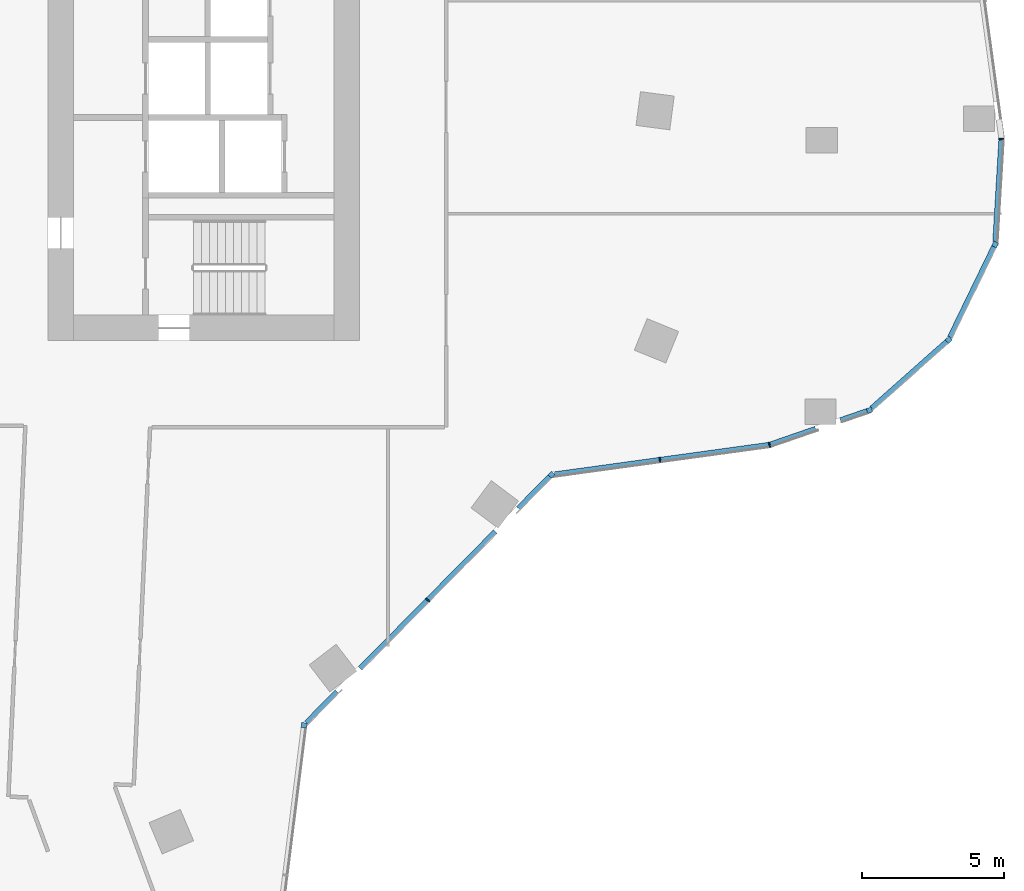
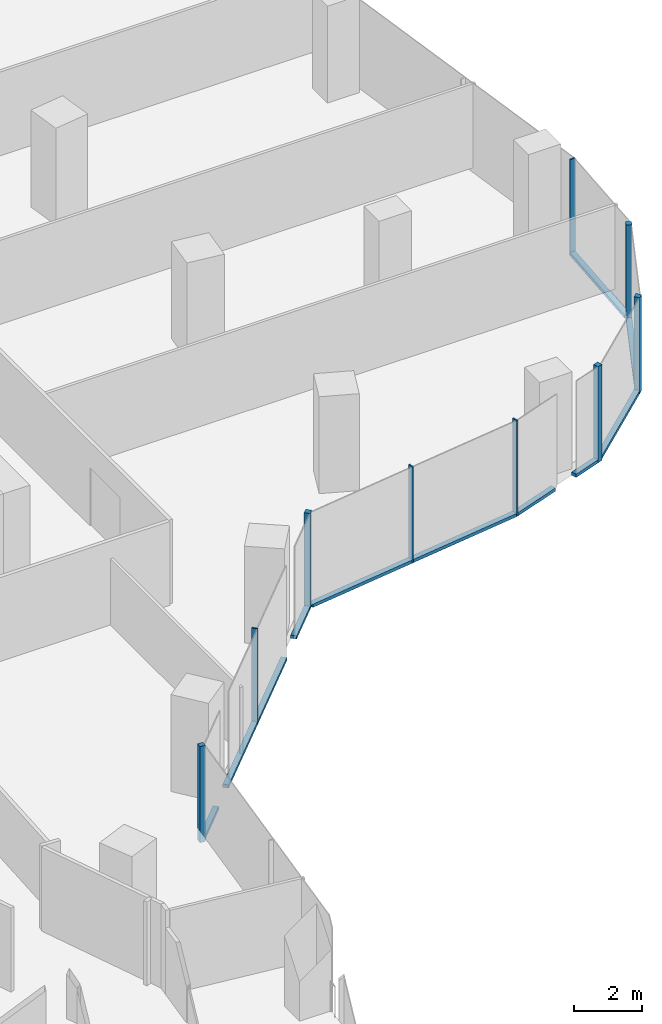
# One storey, part 7 of 27: 18 members, 7 elements without a shape of their own.
"""IFC4 building model written with IfcOpenShell, lengths in metres."""

import ifcopenshell
import ifcopenshell.guid

model = None  # the IFC model being written
_history = None  # IfcOwnerHistory: only IFC2X3 demands one
_inside = {}  # id of a spatial element -> (the spatial element, [elements in it])
_under = {}  # id of a project, library or spatial element -> (it, [spatial elements below it])
_declared = {}  # id of a project -> (the project, [libraries it declares])
_typed = {}  # id of a type object -> (the type object, [elements of that type])
_made_of = {}  # id of a material, layer set ... -> (it, [elements and type objects made of it])


def new_model(schema):
    """Start an empty IFC model of exactly this schema.

    Asked for "IFC4X3", IfcOpenShell would pick the latest addendum, in which some entities
    have other attributes; the version numbers below select the first issue.
    IFC2X3 requires an IfcOwnerHistory on every rooted entity: one is made here for all.
    """
    global model, _history
    if schema == "IFC4X3":
        model = ifcopenshell.file(schema_version=(4, 3, 0, 0))
    else:
        model = ifcopenshell.file(schema=schema)
    _inside.clear()
    _under.clear()
    _declared.clear()
    _typed.clear()
    _made_of.clear()
    _history = None
    if model.schema == "IFC2X3":
        org = make("IfcOrganization", Name="unknown")
        user = make(
            "IfcPersonAndOrganization",
            ThePerson=make("IfcPerson", FamilyName="unknown"),
            TheOrganization=org,
        )
        app = make(
            "IfcApplication",
            ApplicationDeveloper=org,
            Version="unknown",
            ApplicationFullName="unknown",
            ApplicationIdentifier="unknown",
        )
        _history = make(
            "IfcOwnerHistory",
            OwningUser=user,
            OwningApplication=app,
            ChangeAction="ADDED",
            CreationDate=0,
        )
    return model


def make(cls, **values):
    """One entity of the class cls with the attributes given. An attribute that is None is left unset."""
    return model.create_entity(
        cls, **{name: value for name, value in values.items() if value is not None}
    )


def rooted(cls, **values):
    """An entity with a GlobalId (a new one), such as an element, a storey or a relation."""
    return make(cls, GlobalId=ifcopenshell.guid.new(), OwnerHistory=_history, **values)


def si_unit(unit_type, name, prefix=None):
    """IfcSIUnit, for example si_unit("LENGTHUNIT", "METRE", prefix="MILLI")."""
    return make("IfcSIUnit", UnitType=unit_type, Prefix=prefix, Name=name)


def assignment(units):
    """IfcUnitAssignment: the units of a project."""
    return None if units is None else make("IfcUnitAssignment", Units=units)


def point(xyz):
    """IfcCartesianPoint."""
    return None if xyz is None else make("IfcCartesianPoint", Coordinates=xyz)


def direction(xyz):
    """IfcDirection."""
    return None if xyz is None else make("IfcDirection", DirectionRatios=xyz)


def frame(location, z_axis=None, x_axis=None):
    """IfcAxis2Placement3D, a coordinate frame: its origin and axes. An axis left out is left unset."""
    return make(
        "IfcAxis2Placement3D",
        Location=point(location),
        Axis=direction(z_axis),
        RefDirection=direction(x_axis),
    )


def frame_2d(location, x_axis=None):
    """IfcAxis2Placement2D, a coordinate frame in the plane: its origin and x axis."""
    return make(
        "IfcAxis2Placement2D", Location=point(location), RefDirection=direction(x_axis)
    )


def origin():
    """The frame at (0, 0, 0) with its axes left unset."""
    return frame((0.0, 0.0, 0.0))


def origin_2d():
    """The frame at (0, 0) in the plane with its x axis left unset."""
    return frame_2d((0.0, 0.0))


def place(relative_to, where):
    """IfcLocalPlacement: puts the frame where relative to a parent placement (None: the world)."""
    return make(
        "IfcLocalPlacement", PlacementRelTo=relative_to, RelativePlacement=where
    )


def context(
    kind, dimensions, precision=None, world=None, true_north=None, identifier=None
):
    """IfcGeometricRepresentationContext, for example the 3D "Model" context."""
    return make(
        "IfcGeometricRepresentationContext",
        ContextIdentifier=identifier,
        ContextType=kind,
        CoordinateSpaceDimension=dimensions,
        Precision=precision,
        WorldCoordinateSystem=world,
        TrueNorth=true_north,
    )


def subcontext(parent, identifier, kind, view, scale=None):
    """IfcGeometricRepresentationSubContext, for example "Body" below "Model"."""
    return make(
        "IfcGeometricRepresentationSubContext",
        ContextIdentifier=identifier,
        ContextType=kind,
        ParentContext=parent,
        TargetScale=scale,
        TargetView=view,
    )


def project(units=None, contexts=None):
    """IfcProject with its units and contexts."""
    return rooted(
        "IfcProject",
        Name="project",
        RepresentationContexts=contexts,
        UnitsInContext=assignment(units),
    )


def spatial(cls, under=None, at=None, **own):
    """A site, building, storey or space (cls), placed at a placement, below another one or the project."""
    s = rooted(cls, ObjectPlacement=at, **own)
    if under is not None:
        _under.setdefault(under.id(), (under, []))[1].append(s)
    return s


def profile(cls, at=None, kind="AREA", **sizes):
    """A parametric profile (cls). Its sizes go by their IFC names, for example OverallWidth=200.0."""
    return make(cls, ProfileType=kind, Position=at, **sizes)


def rectangle(**sizes):
    """IfcRectangleProfileDef."""
    return profile("IfcRectangleProfileDef", **sizes)


def extrude(swept, where, along, depth):
    """IfcExtrudedAreaSolid: the profile swept, set in the frame where, extruded along a direction by depth."""
    return make(
        "IfcExtrudedAreaSolid",
        SweptArea=swept,
        Position=where,
        ExtrudedDirection=direction(along),
        Depth=depth,
    )


def shape(context_of_items, identifier, shape_type, items):
    """IfcShapeRepresentation: the items that make up one representation, for example the "Body"."""
    return make(
        "IfcShapeRepresentation",
        ContextOfItems=context_of_items,
        RepresentationIdentifier=identifier,
        RepresentationType=shape_type,
        Items=items,
    )


def material(Name=None, Category=None):
    """IfcMaterial."""
    return make("IfcMaterial", Name=Name, Category=Category)


def material_profile(
    of_material, cross_section, Name=None, Category=None, Priority=None
):
    """IfcMaterialProfile: a cross section and its material."""
    return make(
        "IfcMaterialProfile",
        Name=Name,
        Material=of_material,
        Profile=cross_section,
        Priority=Priority,
        Category=Category,
    )


def profile_set(profiles, Name=None, composite=None):
    """IfcMaterialProfileSet."""
    return make(
        "IfcMaterialProfileSet",
        Name=Name,
        MaterialProfiles=profiles,
        CompositeProfile=composite,
    )


def made_of(thing, what):
    """Note that an element or type object is made of a material, layer set ...; save() writes the relation."""
    if what is not None:
        _made_of.setdefault(what.id(), (what, []))[1].append(thing)
    return thing


def type_object(cls, material=None, **own):
    """A type object (cls), such as IfcWallType, which elements share."""
    return made_of(rooted(cls, **own), material)


def element(
    cls,
    number,
    at=None,
    inside=None,
    cuts=None,
    type_object=None,
    material=None,
    context=None,
    identifier="Body",
    shape_type=None,
    held_by="IfcProductDefinitionShape",
    body=None,
    shapes=None,
    **own,
):
    """One element of the class cls, such as IfcWall. Its Tag is "e" and its number.

    at: its placement. inside: the storey or other place that contains it. cuts: it is an
    opening in that element (IfcRelVoidsElement). A single representation is given by context,
    identifier, shape_type and body (its items); several are given by shapes. held_by: the class
    of the entity that holds the representations. save() writes the other relations.
    """
    e = rooted(cls, Tag="e%d" % number, ObjectPlacement=at, **own)
    if body is not None:
        shapes = [shape(context, identifier, shape_type, body)]
    if shapes is not None:
        e.Representation = make(held_by, Representations=shapes)
    if inside is not None:
        _inside.setdefault(inside.id(), (inside, []))[1].append(e)
    if cuts is not None:
        rooted(
            "IfcRelVoidsElement", RelatingBuildingElement=cuts, RelatedOpeningElement=e
        )
    if type_object is not None:
        _typed.setdefault(type_object.id(), (type_object, []))[1].append(e)
    return made_of(e, material)


def aggregate(whole, parts):
    """IfcRelAggregates: a whole, such as a stair, and the parts it consists of."""
    return rooted("IfcRelAggregates", RelatingObject=whole, RelatedObjects=parts)


def save(model, path):
    """Write the relations noted so far, then the file.

    IfcRelAggregates (storeys below a building ...), IfcRelContainedInSpatialStructure (elements
    in a storey), IfcRelDefinesByType, IfcRelAssociatesMaterial and IfcRelDeclares: one each for
    every whole, place, type object, material and project.
    """
    for whole, parts in _under.values():
        aggregate(whole, parts)
    for where, things in _inside.values():
        rooted(
            "IfcRelContainedInSpatialStructure",
            RelatedElements=things,
            RelatingStructure=where,
        )
    for kind, things in _typed.values():
        rooted("IfcRelDefinesByType", RelatedObjects=things, RelatingType=kind)
    for what, things in _made_of.values():
        rooted("IfcRelAssociatesMaterial", RelatedObjects=things, RelatingMaterial=what)
    for by, libraries in _declared.values():
        rooted("IfcRelDeclares", RelatingContext=by, RelatedDefinitions=libraries)
    model.write(path)


model = new_model("IFC4")

# Units and contexts
model_context = context("Model", 3, precision=1e-05, world=origin(), true_north=direction((0.0, 1.0)))
body_context = subcontext(model_context, "Body", "Model", "MODEL_VIEW")
ifc_project = project(units=[si_unit("LENGTHUNIT", "METRE"), si_unit("AREAUNIT", "SQUARE_METRE"), si_unit("VOLUMEUNIT", "CUBIC_METRE"), si_unit("PLANEANGLEUNIT", "RADIAN"), si_unit("MASSUNIT", "GRAM", prefix="KILO")], contexts=[model_context])

# Site, building, storey
site_placement = place(None, origin())
site = spatial("IfcSite", under=ifc_project, at=site_placement, CompositionType="ELEMENT")
building_placement = place(site_placement, origin())
building = spatial("IfcBuilding", under=site, at=building_placement, Name="Orlundy Tower", CompositionType="ELEMENT")
storey_placement = place(building_placement, frame((0.0, 0.0, 199.10009765625)))
storey = spatial("IfcBuildingStorey", under=building, at=storey_placement, Name="L52", CompositionType="ELEMENT", Elevation=199.10009765625)

# Curtain wall, member
ifc_material_1 = material(Name="Aluminium bronze anodised", Category="aluminium")
curtain_wall_type = type_object("IfcCurtainWallType", Name="CW1 wall", PredefinedType="NOTDEFINED", material=ifc_material_1)
curtain_wall_1_placement = place(storey_placement, origin())
curtain_wall_1 = element("IfcCurtainWall", 1, at=curtain_wall_1_placement, inside=storey, type_object=curtain_wall_type, Name="CW1 run 013", PredefinedType="NOTDEFINED")
ifc_material_2 = material(Name="Aluminium bronze anodised", Category="aluminium")
ifc_material_profile_1 = material_profile(ifc_material_2, rectangle(XDim=0.179931640625, YDim=0.179931640625, at=origin_2d()), Name="CW1 corner post 180x180")
ifc_profile_set_1 = profile_set([ifc_material_profile_1], Name="Aluminium bronze anodised")
member_type_1 = type_object("IfcMemberType", Name="CW1 corner post 180x180", PredefinedType="MULLION", material=ifc_profile_set_1)
member_1_placement = place(storey_placement, frame((41.420654296875, -8.605224609375, -0.420166015625), z_axis=(0.0, 0.0, 1.0), x_axis=(0.899441505342, -0.437041163358, 0.0)))
member_1 = element("IfcMember", 2, at=member_1_placement, type_object=member_type_1, Name="CW1 mullion 37", PredefinedType="MULLION", context=body_context, shape_type="SweptSolid", body=[
    extrude(rectangle(XDim=0.179931640625, YDim=0.179931640625, at=origin_2d()), origin(), (0.0, 0.0, 1.0), 3.469970703125),
])

curtain_wall_2_placement = place(storey_placement, origin())
curtain_wall_2 = element("IfcCurtainWall", 3, at=curtain_wall_2_placement, inside=storey, type_object=curtain_wall_type, Name="CW1 run 014", PredefinedType="NOTDEFINED")
member_2_placement = place(storey_placement, frame((39.78515625, -11.971435546875, -0.420166015625), z_axis=(0.0, 0.0, 1.0), x_axis=(0.663760711342, -0.747944996694, 0.0)))
member_2 = element("IfcMember", 4, at=member_2_placement, type_object=member_type_1, Name="CW1 mullion 38", PredefinedType="MULLION", context=body_context, shape_type="SweptSolid", body=[
    extrude(rectangle(XDim=0.179931640625, YDim=0.179931640625, at=origin_2d()), origin(), (0.0, 0.0, 1.0), 3.469970703125),
])

curtain_wall_3_placement = place(storey_placement, origin())
curtain_wall_3 = element("IfcCurtainWall", 5, at=curtain_wall_3_placement, inside=storey, type_object=curtain_wall_type, Name="CW1 run 015", PredefinedType="NOTDEFINED")
member_3_placement = place(storey_placement, frame((36.986328125, -14.455078125, -0.420166015625), z_axis=(0.0, 0.0, 1.0), x_axis=(0.32697157273, -0.945034174317, 0.0)))
member_3 = element("IfcMember", 6, at=member_3_placement, type_object=member_type_1, Name="CW1 mullion 39", PredefinedType="MULLION", context=body_context, shape_type="SweptSolid", body=[
    extrude(rectangle(XDim=0.179931640625, YDim=0.179931640625, at=origin_2d()), origin(), (0.0, 0.0, 1.0), 3.469970703125),
])

curtain_wall_4_placement = place(storey_placement, origin())
curtain_wall_4 = element("IfcCurtainWall", 7, at=curtain_wall_4_placement, inside=storey, type_object=curtain_wall_type, Name="CW1 run 017", PredefinedType="NOTDEFINED")
member_4_placement = place(storey_placement, frame((25.767578125, -16.73388671875, -0.420166015625), z_axis=(0.0, 0.0, 1.0), x_axis=(0.711219038994, -0.702970467781, 0.0)))
member_4 = element("IfcMember", 8, at=member_4_placement, type_object=member_type_1, Name="CW1 mullion 42", PredefinedType="MULLION", context=body_context, shape_type="SweptSolid", body=[
    extrude(rectangle(XDim=0.179931640625, YDim=0.179931640625, at=origin_2d()), origin(), (0.0, 0.0, 1.0), 3.469970703125),
])

curtain_wall_5_placement = place(storey_placement, origin())
curtain_wall_5 = element("IfcCurtainWall", 9, at=curtain_wall_5_placement, inside=storey, type_object=curtain_wall_type, Name="CW1 run 018", PredefinedType="NOTDEFINED")
member_5_placement = place(storey_placement, frame((17.032470703125, -25.571533203125, -0.420166015625), z_axis=(0.0, 0.0, 1.0), x_axis=(0.992189164773, -0.124742379758, 0.0)))
member_5 = element("IfcMember", 10, at=member_5_placement, type_object=member_type_1, Name="CW1 mullion 44", PredefinedType="MULLION", context=body_context, shape_type="SweptSolid", body=[
    extrude(rectangle(XDim=0.179931640625, YDim=0.179931640625, at=origin_2d()), origin(), (0.0, 0.0, 1.0), 3.469970703125),
])
aggregate(curtain_wall_5, [member_5])

curtain_wall_6_placement = place(storey_placement, origin())
curtain_wall_6 = element("IfcCurtainWall", 11, at=curtain_wall_6_placement, inside=storey, type_object=curtain_wall_type, Name="CW1 run 012", PredefinedType="NOTDEFINED")
ifc_material_3 = material(Name="Aluminium bronze anodised", Category="aluminium")
ifc_material_profile_2 = material_profile(ifc_material_3, rectangle(XDim=0.179931640625, YDim=0.050048828125, at=origin_2d()), Name="CW1 mullion 50x180")
ifc_profile_set_2 = profile_set([ifc_material_profile_2], Name="Aluminium bronze anodised")
member_type_2 = type_object("IfcMemberType", Name="CW1 mullion 50x180", PredefinedType="MULLION", material=ifc_profile_set_2)
member_6_placement = place(storey_placement, frame((41.643310546875, -4.87841796875, -0.420166015625), z_axis=(0.0, 0.0, 1.0), x_axis=(0.999257951647, 0.038516828414, 0.0)))
member_6 = element("IfcMember", 12, at=member_6_placement, type_object=member_type_2, Name="CW1 mullion 36", PredefinedType="MULLION", context=body_context, shape_type="SweptSolid", body=[
    extrude(rectangle(XDim=0.179931640625, YDim=0.050048828125, at=origin_2d()), origin(), (0.0, 0.0, 1.0), 3.469970703125),
])

# Curtain wall, members
curtain_wall_7_placement = place(storey_placement, origin())
curtain_wall_7 = element("IfcCurtainWall", 13, at=curtain_wall_7_placement, inside=storey, type_object=curtain_wall_type, Name="CW1 run 016", PredefinedType="NOTDEFINED")
member_7_placement = place(storey_placement, frame((33.4580078125, -15.676025390625, -0.420166015625), z_axis=(0.0, 0.0, 1.0), x_axis=(0.232753873533, -0.972535672536, 0.0)))
member_7 = element("IfcMember", 14, at=member_7_placement, type_object=member_type_2, Name="CW1 mullion 40", PredefinedType="MULLION", context=body_context, shape_type="SweptSolid", body=[
    extrude(rectangle(XDim=0.179931640625, YDim=0.050048828125, at=origin_2d()), origin(), (0.0, 0.0, 1.0), 3.469970703125),
])
member_8_placement = place(storey_placement, frame((29.59326171875, -16.207763671875, -0.420166015625), z_axis=(0.0, 0.0, 1.0), x_axis=(0.13629398476, -0.990668435814, 0.0)))
member_8 = element("IfcMember", 15, at=member_8_placement, type_object=member_type_2, Name="CW1 mullion 41", PredefinedType="MULLION", context=body_context, shape_type="SweptSolid", body=[
    extrude(rectangle(XDim=0.179931640625, YDim=0.050048828125, at=origin_2d()), origin(), (0.0, 0.0, 1.0), 3.469970703125),
])

# Member
member_9_placement = place(storey_placement, frame((21.39990234375, -21.15283203125, -0.420166015625), z_axis=(0.0, 0.0, 1.0), x_axis=(0.711219038994, -0.702970467781, 0.0)))
member_9 = element("IfcMember", 16, at=member_9_placement, type_object=member_type_2, Name="CW1 mullion 43", PredefinedType="MULLION", context=body_context, shape_type="SweptSolid", body=[
    extrude(rectangle(XDim=0.179931640625, YDim=0.050048828125, at=origin_2d()), origin(), (0.0, 0.0, 1.0), 3.469970703125),
])

ifc_material_4 = material(Name="Aluminium bronze anodised", Category="aluminium")
ifc_material_profile_3 = material_profile(ifc_material_4, rectangle(XDim=0.179931640625, YDim=0.1201171875, at=origin_2d()), Name="CW1 transom 180x120")
ifc_profile_set_3 = profile_set([ifc_material_profile_3], Name="Aluminium bronze anodised")
member_type_3 = type_object("IfcMemberType", Name="CW1 transom 180x120", PredefinedType="USERDEFINED", material=ifc_profile_set_3)
member_10_placement = place(storey_placement, frame((41.641845703125, -4.903564453125, -0.360107421875), z_axis=(-0.05963359079, -0.998220333819, 0.0), x_axis=(0.998220333819, -0.05963359079, 0.0)))
member_10 = element("IfcMember", 17, at=member_10_placement, type_object=member_type_3, Name="CW1 transom", ObjectType="TRANSOM", PredefinedType="USERDEFINED", context=body_context, shape_type="SweptSolid", body=[
    extrude(rectangle(XDim=0.179931640625, YDim=0.1201171875, at=origin_2d()), origin(), (0.0, 0.0, 1.0), 3.61083984375),
])

aggregate(curtain_wall_6, [member_6, member_10])

member_11_placement = place(storey_placement, frame((41.38134765625, -8.686279296875, -0.360107421875), z_axis=(-0.437048428858, -0.899437974978, 0.0), x_axis=(0.899437974978, -0.437048428858, 0.0)))
member_11 = element("IfcMember", 18, at=member_11_placement, type_object=member_type_3, Name="CW1 transom", ObjectType="TRANSOM", PredefinedType="USERDEFINED", context=body_context, shape_type="SweptSolid", body=[
    extrude(rectangle(XDim=0.179931640625, YDim=0.1201171875, at=origin_2d()), origin(), (0.0, 0.0, 1.0), 3.554931640625),
])

aggregate(curtain_wall_1, [member_1, member_11])

member_12_placement = place(storey_placement, frame((39.7177734375, -12.03125, -0.360107421875), z_axis=(-0.747924477446, -0.663783832311, 0.0), x_axis=(0.663783832311, -0.747924477446, 0.0)))
member_12 = element("IfcMember", 19, at=member_12_placement, type_object=member_type_3, Name="CW1 transom", ObjectType="TRANSOM", PredefinedType="USERDEFINED", context=body_context, shape_type="SweptSolid", body=[
    extrude(rectangle(XDim=0.179931640625, YDim=0.1201171875, at=origin_2d()), origin(), (0.0, 0.0, 1.0), 3.554443359375),
])

aggregate(curtain_wall_2, [member_2, member_12])

member_13_placement = place(storey_placement, frame((36.9013671875, -14.484619140625, -0.360107421875), z_axis=(-0.9450267743, -0.326992959948, 0.0), x_axis=(0.326992959948, -0.9450267743, 0.0)))
member_13 = element("IfcMember", 20, at=member_13_placement, type_object=member_type_3, Name="CW1 transom", ObjectType="TRANSOM", PredefinedType="USERDEFINED", context=body_context, shape_type="SweptSolid", body=[
    extrude(rectangle(XDim=0.179931640625, YDim=0.1201171875, at=origin_2d()), origin(), (0.0, 0.0, 1.0), 0.998291015625),
])

member_14_placement = place(storey_placement, frame((35.085205078125, -15.113037109375, -0.360107421875), z_axis=(-0.945054480209, -0.326912877441, 0.0), x_axis=(0.326912877441, -0.945054480209, 0.0)))
member_14 = element("IfcMember", 21, at=member_14_placement, type_object=member_type_3, Name="CW1 transom", ObjectType="TRANSOM", PredefinedType="USERDEFINED", context=body_context, shape_type="SweptSolid", body=[
    extrude(rectangle(XDim=0.179931640625, YDim=0.1201171875, at=origin_2d()), origin(), (0.0, 0.0, 1.0), 1.69677734375),
])

aggregate(curtain_wall_3, [member_3, member_13, member_14])

member_15_placement = place(storey_placement, frame((33.43310546875, -15.679443359375, -0.360107421875), z_axis=(-0.990670087353, -0.136281979823, 0.0), x_axis=(0.136281979823, -0.990670087353, 0.0)))
member_15 = element("IfcMember", 22, at=member_15_placement, type_object=member_type_3, Name="CW1 transom", ObjectType="TRANSOM", PredefinedType="USERDEFINED", context=body_context, shape_type="SweptSolid", body=[
    extrude(rectangle(XDim=0.179931640625, YDim=0.1201171875, at=origin_2d()), origin(), (0.0, 0.0, 1.0), 7.624267578125),
])

aggregate(curtain_wall_7, [member_7, member_8, member_15])

member_16_placement = place(storey_placement, frame((25.704345703125, -16.798095703125, -0.360107421875), z_axis=(-0.703065381314, -0.711125213727, 0.0), x_axis=(0.711125213727, -0.703065381314, 0.0)))
member_16 = element("IfcMember", 23, at=member_16_placement, type_object=member_type_3, Name="CW1 transom", ObjectType="TRANSOM", PredefinedType="USERDEFINED", context=body_context, shape_type="SweptSolid", body=[
    extrude(rectangle(XDim=0.179931640625, YDim=0.1201171875, at=origin_2d()), origin(), (0.0, 0.0, 1.0), 1.5751953125),
])

member_17_placement = place(storey_placement, frame((23.7880859375, -18.736572265625, -0.360107421875), z_axis=(-0.702962592662, -0.711226822693, 0.0), x_axis=(0.711226822693, -0.702962592662, 0.0)))
member_17 = element("IfcMember", 24, at=member_17_placement, type_object=member_type_3, Name="CW1 transom", ObjectType="TRANSOM", PredefinedType="USERDEFINED", context=body_context, shape_type="SweptSolid", body=[
    extrude(rectangle(XDim=0.179931640625, YDim=0.1201171875, at=origin_2d()), origin(), (0.0, 0.0, 1.0), 6.794677734375),
])

member_18_placement = place(storey_placement, frame((18.202880859375, -24.387451171875, -0.360107421875), z_axis=(-0.702924460902, -0.711264509353, 0.0), x_axis=(0.711264509353, -0.702924460902, 0.0)))
member_18 = element("IfcMember", 25, at=member_18_placement, type_object=member_type_3, Name="CW1 transom", ObjectType="TRANSOM", PredefinedType="USERDEFINED", context=body_context, shape_type="SweptSolid", body=[
    extrude(rectangle(XDim=0.179931640625, YDim=0.1201171875, at=origin_2d()), origin(), (0.0, 0.0, 1.0), 1.551513671875),
])

aggregate(curtain_wall_4, [member_4, member_9, member_16, member_17, member_18])

save(model, "model.ifc")
